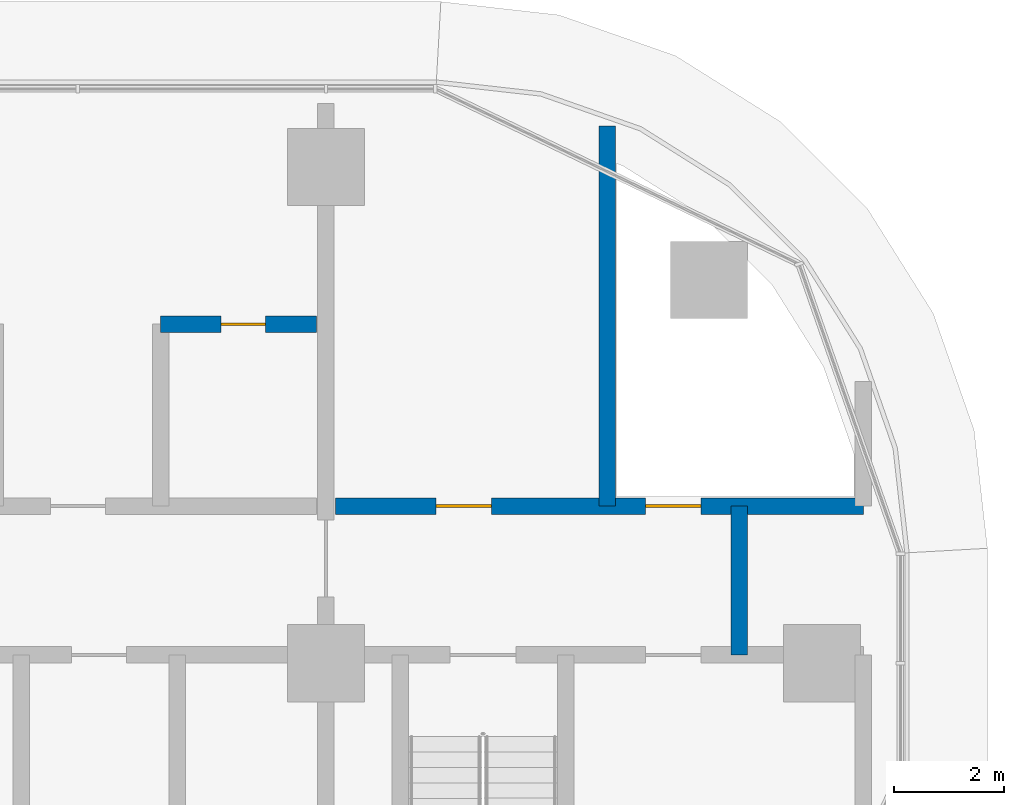
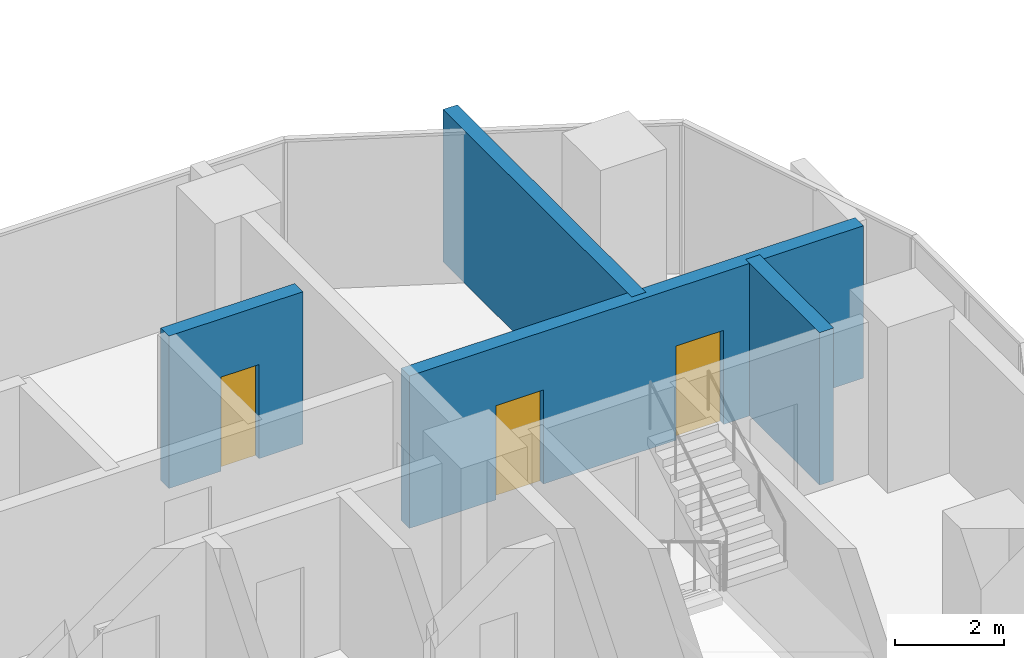
# One storey, part 19 of 36: 4 walls, 3 doors, 3 openings.
"""IFC4 building model written with IfcOpenShell, lengths in metres."""

from ifc_helpers import new_model, si_unit, direction, frame, frame_2d, origin, place, context, subcontext, project, spatial, rectangle, extrude, material, layer, layer_set, type_object, element, fill, save


model = new_model("IFC4")

# Units and contexts
model_context = context("Model", 3, precision=1e-05, world=origin(), true_north=direction((0.0, 1.0)))
body_context = subcontext(model_context, "Body", "Model", "MODEL_VIEW")
ifc_project = project(units=[si_unit("LENGTHUNIT", "METRE"), si_unit("AREAUNIT", "SQUARE_METRE"), si_unit("VOLUMEUNIT", "CUBIC_METRE"), si_unit("PLANEANGLEUNIT", "RADIAN"), si_unit("MASSUNIT", "GRAM", prefix="KILO")], contexts=[model_context])

# Site, building, storey
site_placement = place(None, origin())
site = spatial("IfcSite", under=ifc_project, at=site_placement, CompositionType="ELEMENT")
building_placement = place(site_placement, origin())
building = spatial("IfcBuilding", under=site, at=building_placement, Name="Ogive Portal Towers", CompositionType="ELEMENT")
storey_placement = place(building_placement, frame((0.0, 0.0, 70.5)))
storey = spatial("IfcBuildingStorey", under=building, at=storey_placement, Name="L16", CompositionType="ELEMENT", Elevation=70.5)

# Wall, openings, doors
ifc_material_1 = material(Name="Gypsum board partition on steel studs", Category="steel")
ifc_layer_1 = layer(ifc_material_1, 0.300048828125)
ifc_layer_set_1 = layer_set([ifc_layer_1], Name="WT-PART-300-EI 120")
wall_type_1 = type_object("IfcWallType", Name="WT-PART-300-EI 120", PredefinedType="PARTITIONING", material=ifc_layer_set_1)
wall_1_placement = place(storey_placement, frame((85.669921875, 33.35009765625, 0.0), z_axis=(0.0, 0.0, 1.0), x_axis=(1.0, 0.0, 0.0)))
wall_1 = element("IfcWall", 1, at=wall_1_placement, inside=storey, type_object=wall_type_1, Name="Wall L16:w007", PredefinedType="PARTITIONING", context=body_context, shape_type="SweptSolid", body=[
    extrude(rectangle(XDim=9.580078125, YDim=0.300048828125, at=frame_2d((4.7900390625, 0.0))), origin(), (0.0, 0.0, 1.0), 3.39990234375),
])
opening_1_placement = place(wall_1_placement, frame((1.830078125, 0.0, 0.0)))
opening_1 = element("IfcOpeningElement", 2, at=opening_1_placement, cuts=wall_1, Name="Opening D05-062", PredefinedType="OPENING", context=body_context, shape_type="SweptSolid", body=[
    extrude(rectangle(XDim=1.0, YDim=2.10009765625, at=frame_2d((0.5, 1.050048828125))), frame((0.0, 0.16015625, 0.0), z_axis=(0.0, -1.0, 0.0), x_axis=(1.0, 0.0, 0.0)), (0.0, 0.0, 1.0), 0.320068359375),
])
opening_2_placement = place(wall_1_placement, frame((5.6298828125, 0.0, 0.0)))
opening_2 = element("IfcOpeningElement", 3, at=opening_2_placement, cuts=wall_1, Name="Opening D05-063", PredefinedType="OPENING", context=body_context, shape_type="SweptSolid", body=[
    extrude(rectangle(XDim=1.0, YDim=2.10009765625, at=frame_2d((0.5, 1.050048828125))), frame((0.0, 0.16015625, 0.0), z_axis=(0.0, -1.0, 0.0), x_axis=(1.0, 0.0, 0.0)), (0.0, 0.0, 1.0), 0.320068359375),
])
ifc_material_2 = material(Name="Steel fire door", Category="steel")
door_type_1 = type_object("IfcDoorType", Name="DT-SERVICE-1000x2100-FD90S", OperationType="SINGLE_SWING_LEFT", PredefinedType="DOOR", material=ifc_material_2)
door_1_placement = place(opening_1_placement, origin())
door_1 = element("IfcDoor", 4, at=door_1_placement, inside=storey, type_object=door_type_1, Name="Door D05-062", OperationType="SINGLE_SWING_LEFT", OverallHeight=2.10009765625, OverallWidth=1.0, PredefinedType="DOOR", context=body_context, shape_type="SweptSolid", body=[
    extrude(rectangle(XDim=1.0, YDim=2.10009765625, at=frame_2d((0.5, 1.050048828125))), frame((0.0, 0.02490234375, 0.0), z_axis=(0.0, -1.0, 0.0), x_axis=(1.0, 0.0, 0.0)), (0.0, 0.0, 1.0), 0.050048828125),
])
fill(opening_1, door_1)
door_2_placement = place(opening_2_placement, origin())
door_2 = element("IfcDoor", 5, at=door_2_placement, inside=storey, type_object=door_type_1, Name="Riser access door D05-063", OperationType="SINGLE_SWING_RIGHT", OverallHeight=2.10009765625, OverallWidth=1.0, PredefinedType="DOOR", context=body_context, shape_type="SweptSolid", body=[
    extrude(rectangle(XDim=1.0, YDim=2.10009765625, at=frame_2d((0.5, 1.050048828125))), frame((0.0, 0.02490234375, 0.0), z_axis=(0.0, -1.0, 0.0), x_axis=(1.0, 0.0, 0.0)), (0.0, 0.0, 1.0), 0.050048828125),
])
fill(opening_2, door_2)

# Wall
wall_2_placement = place(storey_placement, frame((93.0, 30.64990234375, 0.0), z_axis=(0.0, 0.0, 1.0), x_axis=(0.0, 1.0, 0.0)))
element("IfcWall", 6, at=wall_2_placement, inside=storey, type_object=wall_type_1, Name="Wall L16:w064", PredefinedType="PARTITIONING", context=body_context, shape_type="SweptSolid", body=[
    extrude(rectangle(XDim=2.7001953125, YDim=0.300048828125, at=frame_2d((1.35009765625, 0.0))), origin(), (0.0, 0.0, 1.0), 3.39990234375),
])

# Wall, opening, door
ifc_layer_2 = layer(ifc_material_1, 0.300048828125)
ifc_layer_set_2 = layer_set([ifc_layer_2], Name="WT-PART-300-EI 60")
wall_type_2 = type_object("IfcWallType", Name="WT-PART-300-EI 60", PredefinedType="PARTITIONING", material=ifc_layer_set_2)
wall_3_placement = place(storey_placement, frame((82.5, 36.64990234375, 0.0), z_axis=(0.0, 0.0, 1.0), x_axis=(1.0, 0.0, 0.0)))
wall_3 = element("IfcWall", 7, at=wall_3_placement, inside=storey, type_object=wall_type_2, Name="Wall L16:w011", PredefinedType="PARTITIONING", context=body_context, shape_type="SweptSolid", body=[
    extrude(rectangle(XDim=2.830078125, YDim=0.300048828125, at=frame_2d((1.4150390625, 0.0))), origin(), (0.0, 0.0, 1.0), 3.39990234375),
])
opening_3_placement = place(wall_3_placement, frame((1.10009765625, 0.0, 0.0)))
opening_3 = element("IfcOpeningElement", 8, at=opening_3_placement, cuts=wall_3, Name="Opening D05-039", PredefinedType="OPENING", context=body_context, shape_type="SweptSolid", body=[
    extrude(rectangle(XDim=0.800048828125, YDim=2.10009765625, at=frame_2d((0.39990234375, 1.050048828125))), frame((0.0, 0.16015625, 0.0), z_axis=(0.0, -1.0, 0.0), x_axis=(1.0, 0.0, 0.0)), (0.0, 0.0, 1.0), 0.320068359375),
])
door_type_2 = type_object("IfcDoorType", Name="DT-BATH-800x2100-FD60S", OperationType="SINGLE_SWING_LEFT", PredefinedType="DOOR", material=ifc_material_2)
door_3_placement = place(opening_3_placement, origin())
door_3 = element("IfcDoor", 9, at=door_3_placement, inside=storey, type_object=door_type_2, Name="Door D05-039", OperationType="SINGLE_SWING_RIGHT", OverallHeight=2.10009765625, OverallWidth=0.800048828125, PredefinedType="DOOR", context=body_context, shape_type="SweptSolid", body=[
    extrude(rectangle(XDim=0.800048828125, YDim=2.10009765625, at=frame_2d((0.39990234375, 1.050048828125))), frame((0.0, 0.02490234375, 0.0), z_axis=(0.0, -1.0, 0.0), x_axis=(1.0, 0.0, 0.0)), (0.0, 0.0, 1.0), 0.050048828125),
])
fill(opening_3, door_3)

# Wall
wall_4_placement = place(storey_placement, frame((90.60009765625, 33.35009765625, 0.0), z_axis=(0.0, 0.0, 1.0), x_axis=(0.0, 1.0, 0.0)))
element("IfcWall", 10, at=wall_4_placement, inside=storey, type_object=wall_type_2, Name="Wall L16:w063", PredefinedType="PARTITIONING", context=body_context, shape_type="SweptSolid", body=[
    extrude(rectangle(XDim=6.89794921875, YDim=0.300048828125, at=frame_2d((3.448974609375, 0.0))), origin(), (0.0, 0.0, 1.0), 3.39990234375),
])

save(model, "model.ifc")
